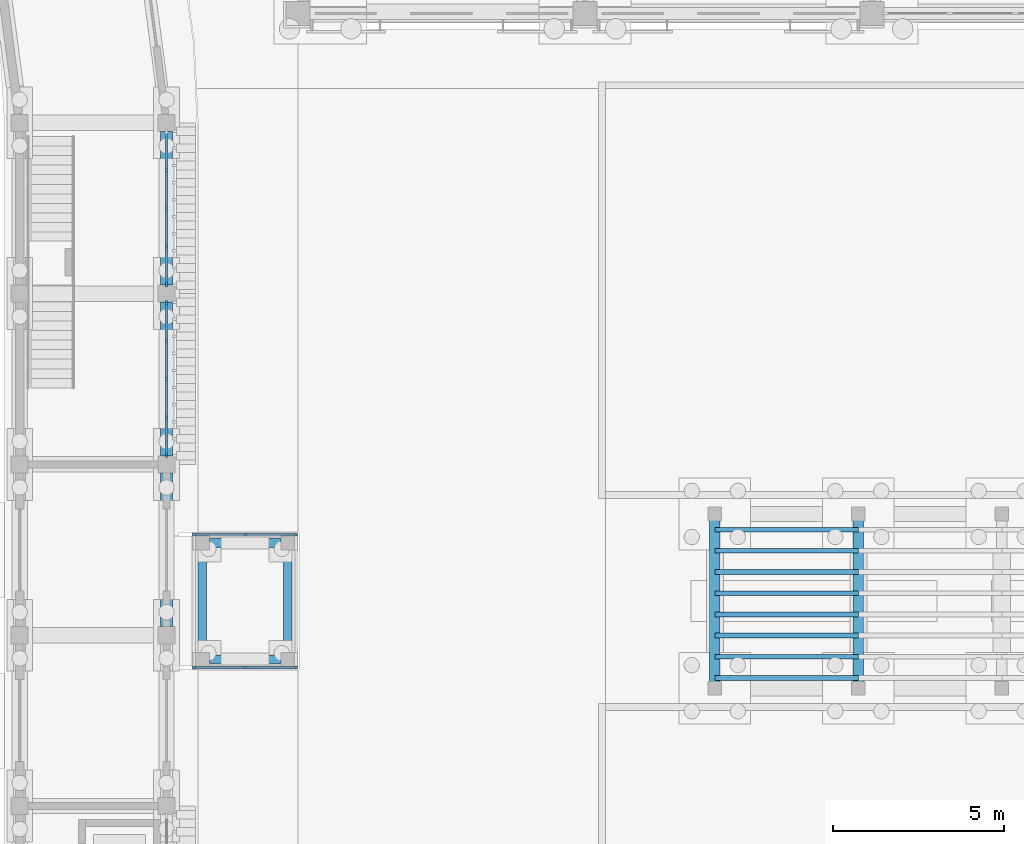
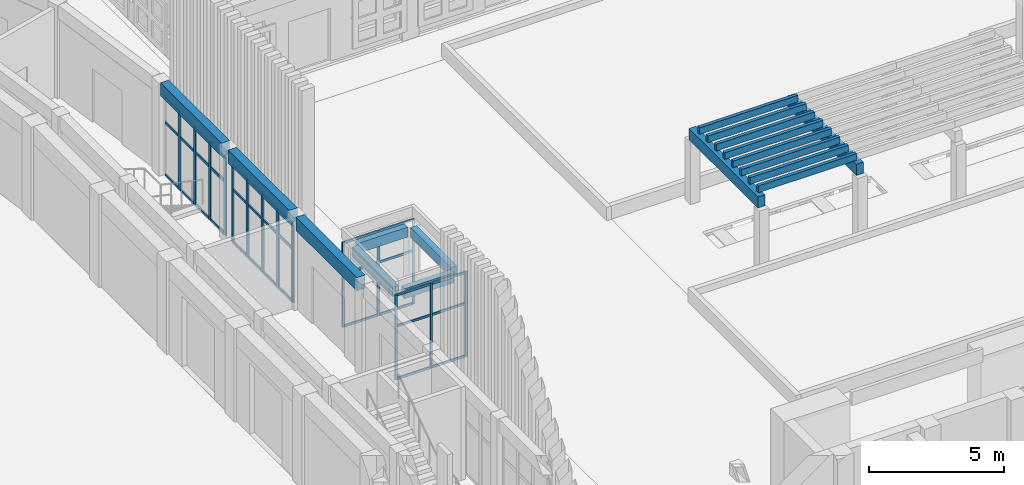
# One storey, part 27 of 112: 59 members, 9 beams, 4 elements without a shape of their own.
"""IFC4 building model written with IfcOpenShell, lengths in metres."""

from ifc_helpers import new_model, si_unit, direction, frame, origin, origin_2d, place, context, subcontext, project, spatial, rectangle, extrude, material, layer, layer_set, material_profile, profile_set, type_object, element, aggregate, save


model = new_model("IFC4")

# Units and contexts
model_context = context("Model", 3, precision=1e-05, world=origin(), true_north=direction((0.0, 1.0)))
body_context = subcontext(model_context, "Body", "Model", "MODEL_VIEW")
ifc_project = project(units=[si_unit("LENGTHUNIT", "METRE"), si_unit("AREAUNIT", "SQUARE_METRE"), si_unit("VOLUMEUNIT", "CUBIC_METRE"), si_unit("PLANEANGLEUNIT", "RADIAN"), si_unit("MASSUNIT", "GRAM", prefix="KILO")], contexts=[model_context])

# Site, building, storey
site_placement = place(None, origin())
site = spatial("IfcSite", under=ifc_project, at=site_placement, CompositionType="ELEMENT")
building_placement = place(site_placement, origin())
building = spatial("IfcBuilding", under=site, at=building_placement, Name="Wasatch Bagh Community Centre", CompositionType="ELEMENT")
storey_placement = place(building_placement, origin())
storey = spatial("IfcBuildingStorey", under=building, at=storey_placement, Name="L00", CompositionType="ELEMENT", Elevation=0.0)

# Curtain wall, members
ifc_material_1 = material(Name="Aluminium curtain wall frame with low-iron insulated glass", Category="aluminium")
ifc_layer_1 = layer(ifc_material_1, 0.14990234375)
ifc_layer_set_1 = layer_set([ifc_layer_1], Name="Aluminium curtain wall frame with low-iron insulated glass")
curtain_wall_type_1 = type_object("IfcCurtainWallType", Name="Drum curtain wall DR-CW3", PredefinedType="NOTDEFINED", material=ifc_layer_set_1)
curtain_wall_1_placement = place(storey_placement, origin())
curtain_wall_1 = element("IfcCurtainWall", 1, at=curtain_wall_1_placement, inside=storey, type_object=curtain_wall_type_1, Name="Curtain wall DR-CW3 17", PredefinedType="NOTDEFINED")
ifc_material_2 = material(Name="Aluminium curtain wall frame", Category="aluminium")
ifc_material_profile_1 = material_profile(ifc_material_2, rectangle(XDim=0.06005859375, YDim=0.159912109375, at=origin_2d()), Name="Drum mullion DR-CW3")
ifc_profile_set_1 = profile_set([ifc_material_profile_1], Name="Aluminium curtain wall frame")
member_type_1 = type_object("IfcMemberType", Name="Drum mullion DR-CW3", PredefinedType="MULLION", material=ifc_profile_set_1)
member_1_placement = place(storey_placement, frame((60.14990234375, 55.280517578125, 0.0), z_axis=(0.0, 0.0, 1.0), x_axis=(-1.0, 0.0, 0.0)))
member_1 = element("IfcMember", 2, at=member_1_placement, type_object=member_type_1, Name="DR-CW3 mullion 1", PredefinedType="MULLION", context=body_context, shape_type="SweptSolid", body=[
    extrude(rectangle(XDim=0.06005859375, YDim=0.159912109375, at=origin_2d()), origin(), (0.0, 0.0, 1.0), 3.5),
])
member_2_placement = place(storey_placement, frame((60.14990234375, 56.375244140625, 0.0), z_axis=(0.0, 0.0, 1.0), x_axis=(-1.0, 0.0, 0.0)))
member_2 = element("IfcMember", 3, at=member_2_placement, type_object=member_type_1, Name="DR-CW3 mullion 2", PredefinedType="MULLION", context=body_context, shape_type="SweptSolid", body=[
    extrude(rectangle(XDim=0.06005859375, YDim=0.159912109375, at=origin_2d()), origin(), (0.0, 0.0, 1.0), 3.5),
])
member_3_placement = place(storey_placement, frame((60.14990234375, 57.5, 0.0), z_axis=(0.0, 0.0, 1.0), x_axis=(-1.0, 0.0, 0.0)))
member_3 = element("IfcMember", 4, at=member_3_placement, type_object=member_type_1, Name="DR-CW3 mullion 3", PredefinedType="MULLION", context=body_context, shape_type="SweptSolid", body=[
    extrude(rectangle(XDim=0.06005859375, YDim=0.159912109375, at=origin_2d()), origin(), (0.0, 0.0, 1.0), 3.5),
])
member_4_placement = place(storey_placement, frame((60.14990234375, 58.624755859375, 0.0), z_axis=(0.0, 0.0, 1.0), x_axis=(-1.0, 0.0, 0.0)))
member_4 = element("IfcMember", 5, at=member_4_placement, type_object=member_type_1, Name="DR-CW3 mullion 4", PredefinedType="MULLION", context=body_context, shape_type="SweptSolid", body=[
    extrude(rectangle(XDim=0.06005859375, YDim=0.159912109375, at=origin_2d()), origin(), (0.0, 0.0, 1.0), 3.5),
])
member_5_placement = place(storey_placement, frame((60.14990234375, 59.719482421875, 0.0), z_axis=(0.0, 0.0, 1.0), x_axis=(-1.0, 0.0, 0.0)))
member_5 = element("IfcMember", 6, at=member_5_placement, type_object=member_type_1, Name="DR-CW3 mullion 5", PredefinedType="MULLION", context=body_context, shape_type="SweptSolid", body=[
    extrude(rectangle(XDim=0.06005859375, YDim=0.159912109375, at=origin_2d()), origin(), (0.0, 0.0, 1.0), 3.5),
])

curtain_wall_2_placement = place(storey_placement, origin())
curtain_wall_2 = element("IfcCurtainWall", 7, at=curtain_wall_2_placement, inside=storey, type_object=curtain_wall_type_1, Name="Curtain wall DR-CW3 18", PredefinedType="NOTDEFINED")
member_6_placement = place(storey_placement, frame((60.14990234375, 60.280517578125, 0.0), z_axis=(0.0, 0.0, 1.0), x_axis=(-1.0, 0.0, 0.0)))
member_6 = element("IfcMember", 8, at=member_6_placement, type_object=member_type_1, Name="DR-CW3 mullion 1", PredefinedType="MULLION", context=body_context, shape_type="SweptSolid", body=[
    extrude(rectangle(XDim=0.06005859375, YDim=0.159912109375, at=origin_2d()), origin(), (0.0, 0.0, 1.0), 3.5),
])
member_7_placement = place(storey_placement, frame((60.14990234375, 61.375244140625, 0.0), z_axis=(0.0, 0.0, 1.0), x_axis=(-1.0, 0.0, 0.0)))
member_7 = element("IfcMember", 9, at=member_7_placement, type_object=member_type_1, Name="DR-CW3 mullion 2", PredefinedType="MULLION", context=body_context, shape_type="SweptSolid", body=[
    extrude(rectangle(XDim=0.06005859375, YDim=0.159912109375, at=origin_2d()), origin(), (0.0, 0.0, 1.0), 3.5),
])
member_8_placement = place(storey_placement, frame((60.14990234375, 62.5, 0.0), z_axis=(0.0, 0.0, 1.0), x_axis=(-1.0, 0.0, 0.0)))
member_8 = element("IfcMember", 10, at=member_8_placement, type_object=member_type_1, Name="DR-CW3 mullion 3", PredefinedType="MULLION", context=body_context, shape_type="SweptSolid", body=[
    extrude(rectangle(XDim=0.06005859375, YDim=0.159912109375, at=origin_2d()), origin(), (0.0, 0.0, 1.0), 3.5),
])
member_9_placement = place(storey_placement, frame((60.14990234375, 63.624755859375, 0.0), z_axis=(0.0, 0.0, 1.0), x_axis=(-1.0, 0.0, 0.0)))
member_9 = element("IfcMember", 11, at=member_9_placement, type_object=member_type_1, Name="DR-CW3 mullion 4", PredefinedType="MULLION", context=body_context, shape_type="SweptSolid", body=[
    extrude(rectangle(XDim=0.06005859375, YDim=0.159912109375, at=origin_2d()), origin(), (0.0, 0.0, 1.0), 3.5),
])

# Beams
ifc_material_3 = material(Name="Concrete C35", Category="concrete")
ifc_material_profile_2 = material_profile(ifc_material_3, rectangle(XDim=0.35009765625, YDim=0.60009765625, at=origin_2d()), Name="RC 350x600")
ifc_profile_set_2 = profile_set([ifc_material_profile_2], Name="Concrete C35")
beam_type_1 = type_object("IfcBeamType", Name="Drum ring beam RC 350x600", PredefinedType="BEAM", material=ifc_profile_set_2)
for number, where, z_axis, x_axis, name in (
    (12, (60.14990234375, 50.25048828125, 3.89990234375), (0.0, 1.0, 0.0), (-1.0, 0.0, 0.0), "Ring beam 4.2 DO-E4-DO-E5"),
    (13, (60.14990234375, 55.25048828125, 3.89990234375), (0.0, 1.0, 0.0), (-1.0, 0.0, 0.0), "Ring beam 4.2 DO-E5-DO-E6"),
    (14, (60.14990234375, 60.25048828125, 3.89990234375), (0.0, 1.0, 0.0), (-1.0, 0.0, 0.0), "Ring beam 4.2 DO-E6-DO-E7"),
):
    element("IfcBeam", number, at=place(storey_placement, frame(where, z_axis=z_axis, x_axis=x_axis)), inside=storey, type_object=beam_type_1, Name=name, PredefinedType="BEAM", context=body_context, shape_type="SweptSolid", body=[
        extrude(rectangle(XDim=0.35009765625, YDim=0.60009765625, at=origin_2d()), origin(), (0.0, 0.0, 1.0), 4.4990234375),
    ])

# Member
ifc_material_profile_3 = material_profile(ifc_material_2, rectangle(XDim=0.06005859375, YDim=0.1201171875, at=origin_2d()), Name="Drum transom DR-CW3")
ifc_profile_set_3 = profile_set([ifc_material_profile_3], Name="Aluminium curtain wall frame")
member_type_2 = type_object("IfcMemberType", Name="Drum transom DR-CW3", PredefinedType="USERDEFINED", material=ifc_profile_set_3)
member_10_placement = place(storey_placement, frame((60.14990234375, 55.310546875, 0.030029296875), z_axis=(0.0, 1.0, 0.0), x_axis=(-1.0, 0.0, 0.0)))
member_10 = element("IfcMember", 15, at=member_10_placement, type_object=member_type_2, Name="DR-CW3 transom 1.1", ObjectType="TRANSOM", PredefinedType="USERDEFINED", context=body_context, shape_type="SweptSolid", body=[
    extrude(rectangle(XDim=0.06005859375, YDim=0.1201171875, at=origin_2d()), origin(), (0.0, 0.0, 1.0), 1.03466796875),
])

member_11_placement = place(storey_placement, frame((60.14990234375, 55.310546875, 2.39990234375), z_axis=(0.0, 1.0, 0.0), x_axis=(-1.0, 0.0, 0.0)))
member_11 = element("IfcMember", 16, at=member_11_placement, type_object=member_type_2, Name="DR-CW3 transom 1.2", ObjectType="TRANSOM", PredefinedType="USERDEFINED", context=body_context, shape_type="SweptSolid", body=[
    extrude(rectangle(XDim=0.06005859375, YDim=0.1201171875, at=origin_2d()), origin(), (0.0, 0.0, 1.0), 1.03466796875),
])

member_12_placement = place(storey_placement, frame((60.14990234375, 55.310546875, 3.469970703125), z_axis=(0.0, 1.0, 0.0), x_axis=(-1.0, 0.0, 0.0)))
member_12 = element("IfcMember", 17, at=member_12_placement, type_object=member_type_2, Name="DR-CW3 transom 1.3", ObjectType="TRANSOM", PredefinedType="USERDEFINED", context=body_context, shape_type="SweptSolid", body=[
    extrude(rectangle(XDim=0.06005859375, YDim=0.1201171875, at=origin_2d()), origin(), (0.0, 0.0, 1.0), 1.03466796875),
])

member_13_placement = place(storey_placement, frame((60.14990234375, 56.4052734375, 0.030029296875), z_axis=(0.0, 1.0, 0.0), x_axis=(-1.0, 0.0, 0.0)))
member_13 = element("IfcMember", 18, at=member_13_placement, type_object=member_type_2, Name="DR-CW3 transom 2.1", ObjectType="TRANSOM", PredefinedType="USERDEFINED", context=body_context, shape_type="SweptSolid", body=[
    extrude(rectangle(XDim=0.06005859375, YDim=0.1201171875, at=origin_2d()), origin(), (0.0, 0.0, 1.0), 1.064697265625),
])

member_14_placement = place(storey_placement, frame((60.14990234375, 56.4052734375, 2.39990234375), z_axis=(0.0, 1.0, 0.0), x_axis=(-1.0, 0.0, 0.0)))
member_14 = element("IfcMember", 19, at=member_14_placement, type_object=member_type_2, Name="DR-CW3 transom 2.2", ObjectType="TRANSOM", PredefinedType="USERDEFINED", context=body_context, shape_type="SweptSolid", body=[
    extrude(rectangle(XDim=0.06005859375, YDim=0.1201171875, at=origin_2d()), origin(), (0.0, 0.0, 1.0), 1.064697265625),
])

member_15_placement = place(storey_placement, frame((60.14990234375, 56.4052734375, 3.469970703125), z_axis=(0.0, 1.0, 0.0), x_axis=(-1.0, 0.0, 0.0)))
member_15 = element("IfcMember", 20, at=member_15_placement, type_object=member_type_2, Name="DR-CW3 transom 2.3", ObjectType="TRANSOM", PredefinedType="USERDEFINED", context=body_context, shape_type="SweptSolid", body=[
    extrude(rectangle(XDim=0.06005859375, YDim=0.1201171875, at=origin_2d()), origin(), (0.0, 0.0, 1.0), 1.064697265625),
])

member_16_placement = place(storey_placement, frame((60.14990234375, 57.530029296875, 0.030029296875), z_axis=(0.0, 1.0, 0.0), x_axis=(-1.0, 0.0, 0.0)))
member_16 = element("IfcMember", 21, at=member_16_placement, type_object=member_type_2, Name="DR-CW3 transom 3.1", ObjectType="TRANSOM", PredefinedType="USERDEFINED", context=body_context, shape_type="SweptSolid", body=[
    extrude(rectangle(XDim=0.06005859375, YDim=0.1201171875, at=origin_2d()), origin(), (0.0, 0.0, 1.0), 1.064697265625),
])

member_17_placement = place(storey_placement, frame((60.14990234375, 57.530029296875, 2.39990234375), z_axis=(0.0, 1.0, 0.0), x_axis=(-1.0, 0.0, 0.0)))
member_17 = element("IfcMember", 22, at=member_17_placement, type_object=member_type_2, Name="DR-CW3 transom 3.2", ObjectType="TRANSOM", PredefinedType="USERDEFINED", context=body_context, shape_type="SweptSolid", body=[
    extrude(rectangle(XDim=0.06005859375, YDim=0.1201171875, at=origin_2d()), origin(), (0.0, 0.0, 1.0), 1.064697265625),
])

member_18_placement = place(storey_placement, frame((60.14990234375, 57.530029296875, 3.469970703125), z_axis=(0.0, 1.0, 0.0), x_axis=(-1.0, 0.0, 0.0)))
member_18 = element("IfcMember", 23, at=member_18_placement, type_object=member_type_2, Name="DR-CW3 transom 3.3", ObjectType="TRANSOM", PredefinedType="USERDEFINED", context=body_context, shape_type="SweptSolid", body=[
    extrude(rectangle(XDim=0.06005859375, YDim=0.1201171875, at=origin_2d()), origin(), (0.0, 0.0, 1.0), 1.064697265625),
])

member_19_placement = place(storey_placement, frame((60.14990234375, 58.65478515625, 0.030029296875), z_axis=(0.0, 1.0, 0.0), x_axis=(-1.0, 0.0, 0.0)))
member_19 = element("IfcMember", 24, at=member_19_placement, type_object=member_type_2, Name="DR-CW3 transom 4.1", ObjectType="TRANSOM", PredefinedType="USERDEFINED", context=body_context, shape_type="SweptSolid", body=[
    extrude(rectangle(XDim=0.06005859375, YDim=0.1201171875, at=origin_2d()), origin(), (0.0, 0.0, 1.0), 1.03466796875),
])

member_20_placement = place(storey_placement, frame((60.14990234375, 58.65478515625, 2.39990234375), z_axis=(0.0, 1.0, 0.0), x_axis=(-1.0, 0.0, 0.0)))
member_20 = element("IfcMember", 25, at=member_20_placement, type_object=member_type_2, Name="DR-CW3 transom 4.2", ObjectType="TRANSOM", PredefinedType="USERDEFINED", context=body_context, shape_type="SweptSolid", body=[
    extrude(rectangle(XDim=0.06005859375, YDim=0.1201171875, at=origin_2d()), origin(), (0.0, 0.0, 1.0), 1.03466796875),
])

member_21_placement = place(storey_placement, frame((60.14990234375, 58.65478515625, 3.469970703125), z_axis=(0.0, 1.0, 0.0), x_axis=(-1.0, 0.0, 0.0)))
member_21 = element("IfcMember", 26, at=member_21_placement, type_object=member_type_2, Name="DR-CW3 transom 4.3", ObjectType="TRANSOM", PredefinedType="USERDEFINED", context=body_context, shape_type="SweptSolid", body=[
    extrude(rectangle(XDim=0.06005859375, YDim=0.1201171875, at=origin_2d()), origin(), (0.0, 0.0, 1.0), 1.03466796875),
])

aggregate(curtain_wall_1, [member_1, member_2, member_3, member_4, member_5, member_10, member_11, member_12, member_13, member_14, member_15, member_16, member_17, member_18, member_19, member_20, member_21])

member_22_placement = place(storey_placement, frame((60.14990234375, 60.310546875, 0.030029296875), z_axis=(0.0, 1.0, 0.0), x_axis=(-1.0, 0.0, 0.0)))
member_22 = element("IfcMember", 27, at=member_22_placement, type_object=member_type_2, Name="DR-CW3 transom 1.1", ObjectType="TRANSOM", PredefinedType="USERDEFINED", context=body_context, shape_type="SweptSolid", body=[
    extrude(rectangle(XDim=0.06005859375, YDim=0.1201171875, at=origin_2d()), origin(), (0.0, 0.0, 1.0), 1.03466796875),
])

member_23_placement = place(storey_placement, frame((60.14990234375, 60.310546875, 2.39990234375), z_axis=(0.0, 1.0, 0.0), x_axis=(-1.0, 0.0, 0.0)))
member_23 = element("IfcMember", 28, at=member_23_placement, type_object=member_type_2, Name="DR-CW3 transom 1.2", ObjectType="TRANSOM", PredefinedType="USERDEFINED", context=body_context, shape_type="SweptSolid", body=[
    extrude(rectangle(XDim=0.06005859375, YDim=0.1201171875, at=origin_2d()), origin(), (0.0, 0.0, 1.0), 1.03466796875),
])

member_24_placement = place(storey_placement, frame((60.14990234375, 60.310546875, 3.469970703125), z_axis=(0.0, 1.0, 0.0), x_axis=(-1.0, 0.0, 0.0)))
member_24 = element("IfcMember", 29, at=member_24_placement, type_object=member_type_2, Name="DR-CW3 transom 1.3", ObjectType="TRANSOM", PredefinedType="USERDEFINED", context=body_context, shape_type="SweptSolid", body=[
    extrude(rectangle(XDim=0.06005859375, YDim=0.1201171875, at=origin_2d()), origin(), (0.0, 0.0, 1.0), 1.03466796875),
])

member_25_placement = place(storey_placement, frame((60.14990234375, 61.4052734375, 0.030029296875), z_axis=(0.0, 1.0, 0.0), x_axis=(-1.0, 0.0, 0.0)))
member_25 = element("IfcMember", 30, at=member_25_placement, type_object=member_type_2, Name="DR-CW3 transom 2.1", ObjectType="TRANSOM", PredefinedType="USERDEFINED", context=body_context, shape_type="SweptSolid", body=[
    extrude(rectangle(XDim=0.06005859375, YDim=0.1201171875, at=origin_2d()), origin(), (0.0, 0.0, 1.0), 1.064697265625),
])

member_26_placement = place(storey_placement, frame((60.14990234375, 61.4052734375, 2.39990234375), z_axis=(0.0, 1.0, 0.0), x_axis=(-1.0, 0.0, 0.0)))
member_26 = element("IfcMember", 31, at=member_26_placement, type_object=member_type_2, Name="DR-CW3 transom 2.2", ObjectType="TRANSOM", PredefinedType="USERDEFINED", context=body_context, shape_type="SweptSolid", body=[
    extrude(rectangle(XDim=0.06005859375, YDim=0.1201171875, at=origin_2d()), origin(), (0.0, 0.0, 1.0), 1.064697265625),
])

member_27_placement = place(storey_placement, frame((60.14990234375, 61.4052734375, 3.469970703125), z_axis=(0.0, 1.0, 0.0), x_axis=(-1.0, 0.0, 0.0)))
member_27 = element("IfcMember", 32, at=member_27_placement, type_object=member_type_2, Name="DR-CW3 transom 2.3", ObjectType="TRANSOM", PredefinedType="USERDEFINED", context=body_context, shape_type="SweptSolid", body=[
    extrude(rectangle(XDim=0.06005859375, YDim=0.1201171875, at=origin_2d()), origin(), (0.0, 0.0, 1.0), 1.064697265625),
])

member_28_placement = place(storey_placement, frame((60.14990234375, 62.530029296875, 0.030029296875), z_axis=(0.0, 1.0, 0.0), x_axis=(-1.0, 0.0, 0.0)))
member_28 = element("IfcMember", 33, at=member_28_placement, type_object=member_type_2, Name="DR-CW3 transom 3.1", ObjectType="TRANSOM", PredefinedType="USERDEFINED", context=body_context, shape_type="SweptSolid", body=[
    extrude(rectangle(XDim=0.06005859375, YDim=0.1201171875, at=origin_2d()), origin(), (0.0, 0.0, 1.0), 1.064697265625),
])

member_29_placement = place(storey_placement, frame((60.14990234375, 62.530029296875, 2.39990234375), z_axis=(0.0, 1.0, 0.0), x_axis=(-1.0, 0.0, 0.0)))
member_29 = element("IfcMember", 34, at=member_29_placement, type_object=member_type_2, Name="DR-CW3 transom 3.2", ObjectType="TRANSOM", PredefinedType="USERDEFINED", context=body_context, shape_type="SweptSolid", body=[
    extrude(rectangle(XDim=0.06005859375, YDim=0.1201171875, at=origin_2d()), origin(), (0.0, 0.0, 1.0), 1.064697265625),
])

member_30_placement = place(storey_placement, frame((60.14990234375, 62.530029296875, 3.469970703125), z_axis=(0.0, 1.0, 0.0), x_axis=(-1.0, 0.0, 0.0)))
member_30 = element("IfcMember", 35, at=member_30_placement, type_object=member_type_2, Name="DR-CW3 transom 3.3", ObjectType="TRANSOM", PredefinedType="USERDEFINED", context=body_context, shape_type="SweptSolid", body=[
    extrude(rectangle(XDim=0.06005859375, YDim=0.1201171875, at=origin_2d()), origin(), (0.0, 0.0, 1.0), 1.064697265625),
])

member_31_placement = place(storey_placement, frame((60.14990234375, 63.65478515625, 0.030029296875), z_axis=(0.0, 1.0, 0.0), x_axis=(-1.0, 0.0, 0.0)))
member_31 = element("IfcMember", 36, at=member_31_placement, type_object=member_type_2, Name="DR-CW3 transom 4.1", ObjectType="TRANSOM", PredefinedType="USERDEFINED", context=body_context, shape_type="SweptSolid", body=[
    extrude(rectangle(XDim=0.06005859375, YDim=0.1201171875, at=origin_2d()), origin(), (0.0, 0.0, 1.0), 1.03466796875),
])

member_32_placement = place(storey_placement, frame((60.14990234375, 63.65478515625, 2.39990234375), z_axis=(0.0, 1.0, 0.0), x_axis=(-1.0, 0.0, 0.0)))
member_32 = element("IfcMember", 37, at=member_32_placement, type_object=member_type_2, Name="DR-CW3 transom 4.2", ObjectType="TRANSOM", PredefinedType="USERDEFINED", context=body_context, shape_type="SweptSolid", body=[
    extrude(rectangle(XDim=0.06005859375, YDim=0.1201171875, at=origin_2d()), origin(), (0.0, 0.0, 1.0), 1.03466796875),
])

member_33_placement = place(storey_placement, frame((60.14990234375, 63.65478515625, 3.469970703125), z_axis=(0.0, 1.0, 0.0), x_axis=(-1.0, 0.0, 0.0)))
member_33 = element("IfcMember", 38, at=member_33_placement, type_object=member_type_2, Name="DR-CW3 transom 4.3", ObjectType="TRANSOM", PredefinedType="USERDEFINED", context=body_context, shape_type="SweptSolid", body=[
    extrude(rectangle(XDim=0.06005859375, YDim=0.1201171875, at=origin_2d()), origin(), (0.0, 0.0, 1.0), 1.03466796875),
])

aggregate(curtain_wall_2, [member_6, member_7, member_8, member_9, member_22, member_23, member_24, member_25, member_26, member_27, member_28, member_29, member_30, member_31, member_32, member_33])

# Curtain wall, members
ifc_layer_2 = layer(ifc_material_1, 0.10009765625)
ifc_layer_set_2 = layer_set([ifc_layer_2], Name="Aluminium curtain wall frame with low-iron insulated glass")
curtain_wall_type_2 = type_object("IfcCurtainWallType", Name="PA curtain wall PA-CW1", PredefinedType="NOTDEFINED", material=ifc_layer_set_2)
curtain_wall_3_placement = place(storey_placement, origin())
curtain_wall_3 = element("IfcCurtainWall", 39, at=curtain_wall_3_placement, inside=storey, type_object=curtain_wall_type_2, Name="Curtain wall PA-CW1 PA1.1", PredefinedType="NOTDEFINED")
ifc_material_4 = material(Name="Anodised aluminium", Category="aluminium")
ifc_material_profile_4 = material_profile(ifc_material_4, rectangle(XDim=0.06005859375, YDim=0.10009765625, at=origin_2d()), Name="PA mullion PA-CW1")
ifc_profile_set_4 = profile_set([ifc_material_profile_4], Name="Anodised aluminium")
member_type_3 = type_object("IfcMemberType", Name="PA mullion PA-CW1", PredefinedType="MULLION", material=ifc_profile_set_4)
member_34_placement = place(storey_placement, frame((60.949951171875, 49.049072265625, 0.0), z_axis=(0.0, 0.0, 1.0), x_axis=(0.0, 1.0, 0.0)))
member_34 = element("IfcMember", 40, at=member_34_placement, type_object=member_type_3, Name="PA-CW1 mullion 1", PredefinedType="MULLION", context=body_context, shape_type="SweptSolid", body=[
    extrude(rectangle(XDim=0.06005859375, YDim=0.10009765625, at=origin_2d()), origin(), (0.0, 0.0, 1.0), 3.830078125),
])
member_35_placement = place(storey_placement, frame((62.449951171875, 49.049072265625, 0.0), z_axis=(0.0, 0.0, 1.0), x_axis=(0.0, 1.0, 0.0)))
member_35 = element("IfcMember", 41, at=member_35_placement, type_object=member_type_3, Name="PA-CW1 mullion 2", PredefinedType="MULLION", context=body_context, shape_type="SweptSolid", body=[
    extrude(rectangle(XDim=0.06005859375, YDim=0.10009765625, at=origin_2d()), origin(), (0.0, 0.0, 1.0), 3.830078125),
])
member_36_placement = place(storey_placement, frame((63.949951171875, 49.049072265625, 0.0), z_axis=(0.0, 0.0, 1.0), x_axis=(0.0, 1.0, 0.0)))
member_36 = element("IfcMember", 42, at=member_36_placement, type_object=member_type_3, Name="PA-CW1 mullion 3", PredefinedType="MULLION", context=body_context, shape_type="SweptSolid", body=[
    extrude(rectangle(XDim=0.06005859375, YDim=0.10009765625, at=origin_2d()), origin(), (0.0, 0.0, 1.0), 3.830078125),
])

curtain_wall_4_placement = place(storey_placement, origin())
curtain_wall_4 = element("IfcCurtainWall", 43, at=curtain_wall_4_placement, inside=storey, type_object=curtain_wall_type_2, Name="Curtain wall PA-CW1 PA1.2", PredefinedType="NOTDEFINED")
member_37_placement = place(storey_placement, frame((60.949951171875, 52.950927734375, 0.0), z_axis=(0.0, 0.0, 1.0), x_axis=(0.0, 1.0, 0.0)))
member_37 = element("IfcMember", 44, at=member_37_placement, type_object=member_type_3, Name="PA-CW1 mullion 1", PredefinedType="MULLION", context=body_context, shape_type="SweptSolid", body=[
    extrude(rectangle(XDim=0.06005859375, YDim=0.10009765625, at=origin_2d()), origin(), (0.0, 0.0, 1.0), 3.830078125),
])
member_38_placement = place(storey_placement, frame((62.449951171875, 52.950927734375, 0.0), z_axis=(0.0, 0.0, 1.0), x_axis=(0.0, 1.0, 0.0)))
member_38 = element("IfcMember", 45, at=member_38_placement, type_object=member_type_3, Name="PA-CW1 mullion 2", PredefinedType="MULLION", context=body_context, shape_type="SweptSolid", body=[
    extrude(rectangle(XDim=0.06005859375, YDim=0.10009765625, at=origin_2d()), origin(), (0.0, 0.0, 1.0), 3.830078125),
])
member_39_placement = place(storey_placement, frame((63.949951171875, 52.950927734375, 0.0), z_axis=(0.0, 0.0, 1.0), x_axis=(0.0, 1.0, 0.0)))
member_39 = element("IfcMember", 46, at=member_39_placement, type_object=member_type_3, Name="PA-CW1 mullion 3", PredefinedType="MULLION", context=body_context, shape_type="SweptSolid", body=[
    extrude(rectangle(XDim=0.06005859375, YDim=0.10009765625, at=origin_2d()), origin(), (0.0, 0.0, 1.0), 3.830078125),
])

# Member
ifc_material_profile_5 = material_profile(ifc_material_4, rectangle(XDim=0.06005859375, YDim=0.10009765625, at=origin_2d()), Name="PA transom PA-CW1")
ifc_profile_set_5 = profile_set([ifc_material_profile_5], Name="Anodised aluminium")
member_type_4 = type_object("IfcMemberType", Name="PA transom PA-CW1", PredefinedType="USERDEFINED", material=ifc_profile_set_5)
member_40_placement = place(storey_placement, frame((60.97998046875, 49.049072265625, 0.030029296875), z_axis=(1.0, 0.0, 0.0), x_axis=(0.0, 1.0, 0.0)))
member_40 = element("IfcMember", 47, at=member_40_placement, type_object=member_type_4, Name="PA-CW1 transom 1.1", ObjectType="TRANSOM", PredefinedType="USERDEFINED", context=body_context, shape_type="SweptSolid", body=[
    extrude(rectangle(XDim=0.06005859375, YDim=0.10009765625, at=origin_2d()), origin(), (0.0, 0.0, 1.0), 1.43994140625),
])

member_41_placement = place(storey_placement, frame((60.97998046875, 49.049072265625, 2.39990234375), z_axis=(1.0, 0.0, 0.0), x_axis=(0.0, 1.0, 0.0)))
member_41 = element("IfcMember", 48, at=member_41_placement, type_object=member_type_4, Name="PA-CW1 transom 1.2", ObjectType="TRANSOM", PredefinedType="USERDEFINED", context=body_context, shape_type="SweptSolid", body=[
    extrude(rectangle(XDim=0.06005859375, YDim=0.10009765625, at=origin_2d()), origin(), (0.0, 0.0, 1.0), 1.43994140625),
])

member_42_placement = place(storey_placement, frame((60.97998046875, 49.049072265625, 3.800048828125), z_axis=(1.0, 0.0, 0.0), x_axis=(0.0, 1.0, 0.0)))
member_42 = element("IfcMember", 49, at=member_42_placement, type_object=member_type_4, Name="PA-CW1 transom 1.3", ObjectType="TRANSOM", PredefinedType="USERDEFINED", context=body_context, shape_type="SweptSolid", body=[
    extrude(rectangle(XDim=0.06005859375, YDim=0.10009765625, at=origin_2d()), origin(), (0.0, 0.0, 1.0), 1.43994140625),
])

member_43_placement = place(storey_placement, frame((62.47998046875, 49.049072265625, 0.030029296875), z_axis=(1.0, 0.0, 0.0), x_axis=(0.0, 1.0, 0.0)))
member_43 = element("IfcMember", 50, at=member_43_placement, type_object=member_type_4, Name="PA-CW1 transom 2.1", ObjectType="TRANSOM", PredefinedType="USERDEFINED", context=body_context, shape_type="SweptSolid", body=[
    extrude(rectangle(XDim=0.06005859375, YDim=0.10009765625, at=origin_2d()), origin(), (0.0, 0.0, 1.0), 1.43994140625),
])

member_44_placement = place(storey_placement, frame((62.47998046875, 49.049072265625, 2.39990234375), z_axis=(1.0, 0.0, 0.0), x_axis=(0.0, 1.0, 0.0)))
member_44 = element("IfcMember", 51, at=member_44_placement, type_object=member_type_4, Name="PA-CW1 transom 2.2", ObjectType="TRANSOM", PredefinedType="USERDEFINED", context=body_context, shape_type="SweptSolid", body=[
    extrude(rectangle(XDim=0.06005859375, YDim=0.10009765625, at=origin_2d()), origin(), (0.0, 0.0, 1.0), 1.43994140625),
])

member_45_placement = place(storey_placement, frame((62.47998046875, 49.049072265625, 3.800048828125), z_axis=(1.0, 0.0, 0.0), x_axis=(0.0, 1.0, 0.0)))
member_45 = element("IfcMember", 52, at=member_45_placement, type_object=member_type_4, Name="PA-CW1 transom 2.3", ObjectType="TRANSOM", PredefinedType="USERDEFINED", context=body_context, shape_type="SweptSolid", body=[
    extrude(rectangle(XDim=0.06005859375, YDim=0.10009765625, at=origin_2d()), origin(), (0.0, 0.0, 1.0), 1.43994140625),
])

aggregate(curtain_wall_3, [member_34, member_35, member_36, member_40, member_41, member_42, member_43, member_44, member_45])

member_46_placement = place(storey_placement, frame((60.97998046875, 52.950927734375, 0.030029296875), z_axis=(1.0, 0.0, 0.0), x_axis=(0.0, 1.0, 0.0)))
member_46 = element("IfcMember", 53, at=member_46_placement, type_object=member_type_4, Name="PA-CW1 transom 1.1", ObjectType="TRANSOM", PredefinedType="USERDEFINED", context=body_context, shape_type="SweptSolid", body=[
    extrude(rectangle(XDim=0.06005859375, YDim=0.10009765625, at=origin_2d()), origin(), (0.0, 0.0, 1.0), 1.43994140625),
])

member_47_placement = place(storey_placement, frame((60.97998046875, 52.950927734375, 2.39990234375), z_axis=(1.0, 0.0, 0.0), x_axis=(0.0, 1.0, 0.0)))
member_47 = element("IfcMember", 54, at=member_47_placement, type_object=member_type_4, Name="PA-CW1 transom 1.2", ObjectType="TRANSOM", PredefinedType="USERDEFINED", context=body_context, shape_type="SweptSolid", body=[
    extrude(rectangle(XDim=0.06005859375, YDim=0.10009765625, at=origin_2d()), origin(), (0.0, 0.0, 1.0), 1.43994140625),
])

member_48_placement = place(storey_placement, frame((60.97998046875, 52.950927734375, 3.800048828125), z_axis=(1.0, 0.0, 0.0), x_axis=(0.0, 1.0, 0.0)))
member_48 = element("IfcMember", 55, at=member_48_placement, type_object=member_type_4, Name="PA-CW1 transom 1.3", ObjectType="TRANSOM", PredefinedType="USERDEFINED", context=body_context, shape_type="SweptSolid", body=[
    extrude(rectangle(XDim=0.06005859375, YDim=0.10009765625, at=origin_2d()), origin(), (0.0, 0.0, 1.0), 1.43994140625),
])

member_49_placement = place(storey_placement, frame((62.47998046875, 52.950927734375, 0.030029296875), z_axis=(1.0, 0.0, 0.0), x_axis=(0.0, 1.0, 0.0)))
member_49 = element("IfcMember", 56, at=member_49_placement, type_object=member_type_4, Name="PA-CW1 transom 2.1", ObjectType="TRANSOM", PredefinedType="USERDEFINED", context=body_context, shape_type="SweptSolid", body=[
    extrude(rectangle(XDim=0.06005859375, YDim=0.10009765625, at=origin_2d()), origin(), (0.0, 0.0, 1.0), 1.43994140625),
])

member_50_placement = place(storey_placement, frame((62.47998046875, 52.950927734375, 2.39990234375), z_axis=(1.0, 0.0, 0.0), x_axis=(0.0, 1.0, 0.0)))
member_50 = element("IfcMember", 57, at=member_50_placement, type_object=member_type_4, Name="PA-CW1 transom 2.2", ObjectType="TRANSOM", PredefinedType="USERDEFINED", context=body_context, shape_type="SweptSolid", body=[
    extrude(rectangle(XDim=0.06005859375, YDim=0.10009765625, at=origin_2d()), origin(), (0.0, 0.0, 1.0), 1.43994140625),
])

member_51_placement = place(storey_placement, frame((62.47998046875, 52.950927734375, 3.800048828125), z_axis=(1.0, 0.0, 0.0), x_axis=(0.0, 1.0, 0.0)))
member_51 = element("IfcMember", 58, at=member_51_placement, type_object=member_type_4, Name="PA-CW1 transom 2.3", ObjectType="TRANSOM", PredefinedType="USERDEFINED", context=body_context, shape_type="SweptSolid", body=[
    extrude(rectangle(XDim=0.06005859375, YDim=0.10009765625, at=origin_2d()), origin(), (0.0, 0.0, 1.0), 1.43994140625),
])

aggregate(curtain_wall_4, [member_37, member_38, member_39, member_46, member_47, member_48, member_49, member_50, member_51])

# Beams
ifc_material_profile_6 = material_profile(ifc_material_3, rectangle(XDim=0.25, YDim=0.449951171875, at=origin_2d()), Name="RC 250x450")
ifc_profile_set_6 = profile_set([ifc_material_profile_6], Name="Concrete C35")
beam_type_2 = type_object("IfcBeamType", Name="PA-B2", PredefinedType="BEAM", material=ifc_profile_set_6)
for number, where, z_axis, x_axis, name in (
    (59, (61.199951171875, 49.5, 3.614990234375), (0.0, 1.0, 0.0), (-1.0, 0.0, 0.0), "PA-B2 beam PA1.1"),
    (60, (63.699951171875, 49.5, 3.614990234375), (0.0, 1.0, 0.0), (-1.0, 0.0, 0.0), "PA-B2 beam PA1.2"),
):
    element("IfcBeam", number, at=place(storey_placement, frame(where, z_axis=z_axis, x_axis=x_axis)), inside=storey, type_object=beam_type_2, Name=name, PredefinedType="BEAM", context=body_context, shape_type="SweptSolid", body=[
        extrude(rectangle(XDim=0.25, YDim=0.449951171875, at=origin_2d()), origin(), (0.0, 0.0, 1.0), 3.0),
    ])
for number, where, z_axis, x_axis, name in (
    (61, (61.39990234375, 49.300048828125, 3.614990234375), (1.0, 0.0, 0.0), (0.0, 1.0, 0.0), "PA-B2 beam PA1.3"),
    (62, (61.39990234375, 52.699951171875, 3.614990234375), (1.0, 0.0, 0.0), (0.0, 1.0, 0.0), "PA-B2 beam PA1.4"),
):
    element("IfcBeam", number, at=place(storey_placement, frame(where, z_axis=z_axis, x_axis=x_axis)), inside=storey, type_object=beam_type_2, Name=name, PredefinedType="BEAM", context=body_context, shape_type="SweptSolid", body=[
        extrude(rectangle(XDim=0.25, YDim=0.449951171875, at=origin_2d()), origin(), (0.0, 0.0, 1.0), 2.10009765625),
    ])
ifc_material_profile_7 = material_profile(ifc_material_3, rectangle(XDim=0.300048828125, YDim=0.5, at=origin_2d()), Name="RC 300x500")
ifc_profile_set_7 = profile_set([ifc_material_profile_7], Name="Concrete C35")
beam_type_3 = type_object("IfcBeamType", Name="SITE-B1", PredefinedType="BEAM", material=ifc_profile_set_7)
for number, where, z_axis, x_axis, name in (
    (63, (80.39990234375, 48.449951171875, 3.050048828125), (0.0, 1.0, 0.0), (-1.0, 0.0, 0.0), "Pergola beam"),
    (64, (76.199951171875, 48.449951171875, 3.050048828125), (0.0, 1.0, 0.0), (-1.0, 0.0, 0.0), "Pergola beam"),
):
    element("IfcBeam", number, at=place(storey_placement, frame(where, z_axis=z_axis, x_axis=x_axis)), inside=storey, type_object=beam_type_3, Name=name, PredefinedType="BEAM", context=body_context, shape_type="SweptSolid", body=[
        extrude(rectangle(XDim=0.300048828125, YDim=0.5, at=origin_2d()), origin(), (0.0, 0.0, 1.0), 5.10009765625),
    ])

# Members
ifc_material_5 = material(Name="Glued laminated timber GL24h", Category="wood")
ifc_material_profile_8 = material_profile(ifc_material_5, rectangle(XDim=0.139892578125, YDim=0.300048828125, at=origin_2d()), Name="GL 140x300")
ifc_profile_set_8 = profile_set([ifc_material_profile_8], Name="Glued laminated timber GL24h")
member_type_5 = type_object("IfcMemberType", Name="SITE-M1", PredefinedType="MEMBER", material=ifc_profile_set_8)
for number, where, z_axis, x_axis, name in (
    (65, (76.199951171875, 48.75, 3.449951171875), (1.0, 0.0, 0.0), (0.0, 1.0, 0.0), "Pergola slat"),
    (66, (76.199951171875, 49.3701171875, 3.449951171875), (1.0, 0.0, 0.0), (0.0, 1.0, 0.0), "Pergola slat"),
    (67, (76.199951171875, 49.989990234375, 3.449951171875), (1.0, 0.0, 0.0), (0.0, 1.0, 0.0), "Pergola slat"),
    (68, (76.199951171875, 50.610107421875, 3.449951171875), (1.0, 0.0, 0.0), (0.0, 1.0, 0.0), "Pergola slat"),
    (69, (76.199951171875, 51.22998046875, 3.449951171875), (1.0, 0.0, 0.0), (0.0, 1.0, 0.0), "Pergola slat"),
    (70, (76.199951171875, 51.85009765625, 3.449951171875), (1.0, 0.0, 0.0), (0.0, 1.0, 0.0), "Pergola slat"),
    (71, (76.199951171875, 52.469970703125, 3.449951171875), (1.0, 0.0, 0.0), (0.0, 1.0, 0.0), "Pergola slat"),
    (72, (76.199951171875, 53.090087890625, 3.449951171875), (1.0, 0.0, 0.0), (0.0, 1.0, 0.0), "Pergola slat"),
):
    element("IfcMember", number, at=place(storey_placement, frame(where, z_axis=z_axis, x_axis=x_axis)), inside=storey, type_object=member_type_5, Name=name, PredefinedType="MEMBER", context=body_context, shape_type="SweptSolid", body=[
        extrude(rectangle(XDim=0.139892578125, YDim=0.300048828125, at=origin_2d()), origin(), (0.0, 0.0, 1.0), 4.199951171875),
    ])

save(model, "model.ifc")
